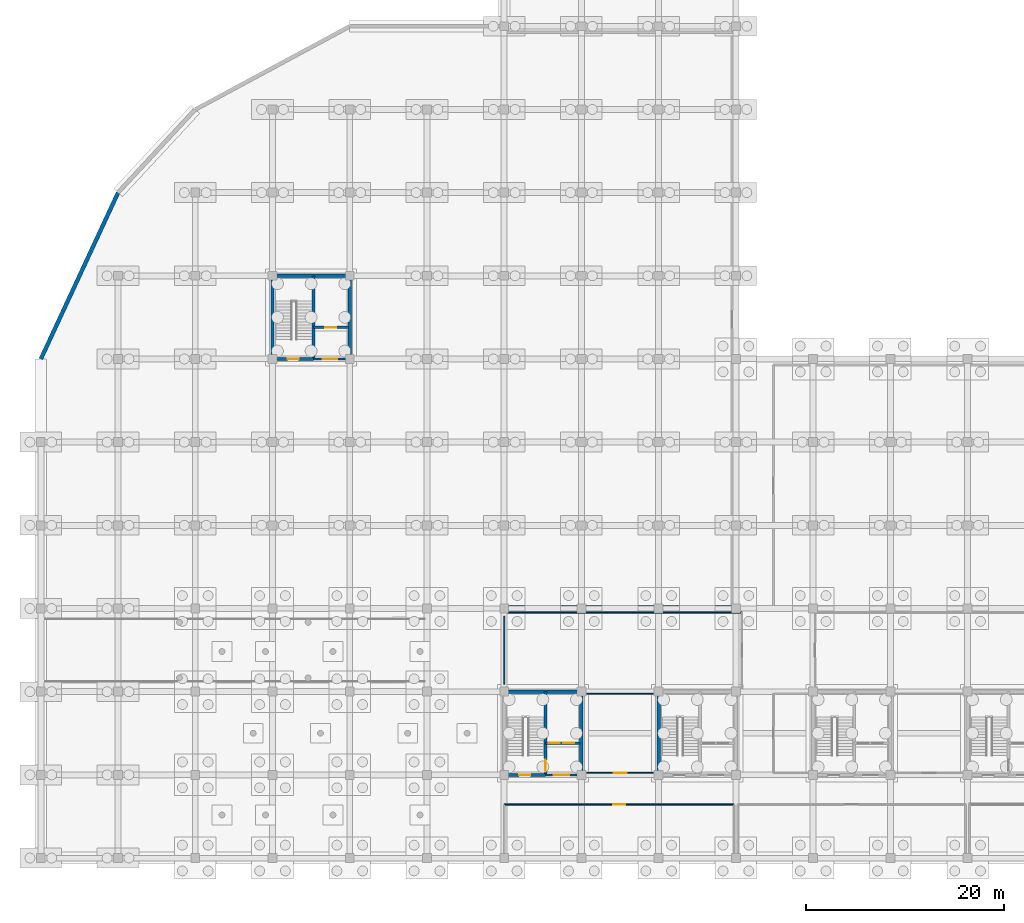
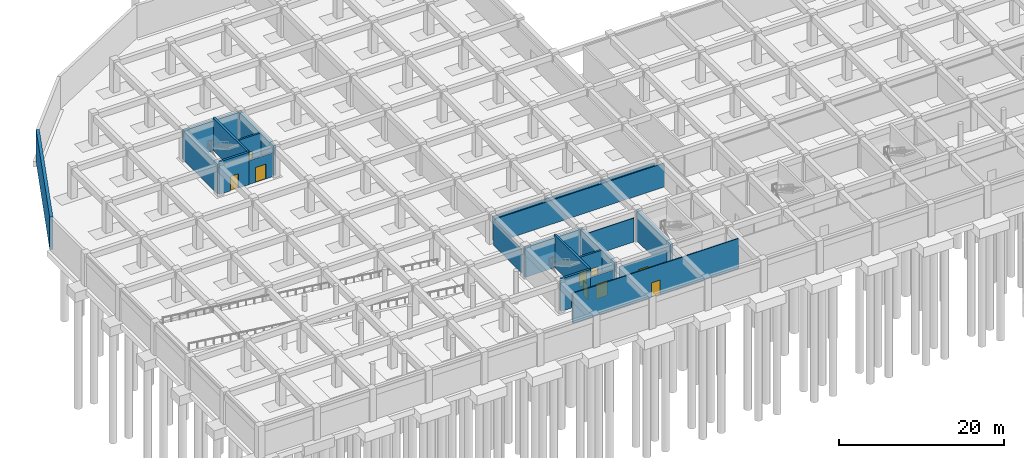
# One storey, part 17 of 31: 21 walls, 10 doors, 10 openings.
"""IFC4 building model written with IfcOpenShell, lengths in metres."""

from ifc_helpers import new_model, si_unit, direction, frame, frame_2d, origin, place, context, subcontext, project, spatial, rectangle, extrude, material, layer, layer_set, type_object, element, fill, save


model = new_model("IFC4")

# Units and contexts
model_context = context("Model", 3, precision=1e-05, world=origin(), true_north=direction((0.0, 1.0)))
body_context = subcontext(model_context, "Body", "Model", "MODEL_VIEW")
ifc_project = project(units=[si_unit("LENGTHUNIT", "METRE"), si_unit("AREAUNIT", "SQUARE_METRE"), si_unit("VOLUMEUNIT", "CUBIC_METRE"), si_unit("PLANEANGLEUNIT", "RADIAN"), si_unit("MASSUNIT", "GRAM", prefix="KILO")], contexts=[model_context])

# Site, building, storey
site_placement = place(None, origin())
site = spatial("IfcSite", under=ifc_project, at=site_placement, CompositionType="ELEMENT")
building_placement = place(site_placement, origin())
building = spatial("IfcBuilding", under=site, at=building_placement, Name="Zizhar Promenade General Hospital", CompositionType="ELEMENT")
storey_placement = place(building_placement, frame((0.0, 0.0, -4.800048828125)))
storey = spatial("IfcBuildingStorey", under=building, at=storey_placement, Name="B1", CompositionType="ELEMENT", Elevation=-4.800048828125)

# Wall, opening, door
ifc_material_1 = material(Name="Chemical-resistant laboratory partition")
ifc_layer_1 = layer(ifc_material_1, 0.135009765625)
ifc_layer_set_1 = layer_set([ifc_layer_1], Name="Chemical-resistant laboratory partition")
wall_type_1 = type_object("IfcWallType", Name="IW-LAB-135", PredefinedType="PARTITIONING", material=ifc_layer_set_1)
wall_1_placement = place(storey_placement, frame((46.800048828125, 5.39990234375, 0.0), z_axis=(0.0, 0.0, 1.0), x_axis=(1.0, 0.0, 0.0)))
wall_1 = element("IfcWall", 1, at=wall_1_placement, inside=storey, type_object=wall_type_1, Name="Central Sterile Supply Decontamination N Partition", PredefinedType="PARTITIONING", context=body_context, shape_type="SweptSolid", body=[
    extrude(rectangle(XDim=23.199951171875, YDim=0.135009765625, at=frame_2d((11.60009765625, 0.0))), origin(), (0.0, 0.0, 1.0), 4.4599609375),
])
opening_1_placement = place(wall_1_placement, frame((11.0, 0.0, 0.0)))
opening_1 = element("IfcOpeningElement", 2, at=opening_1_placement, cuts=wall_1, Name="Opening D-16", PredefinedType="OPENING", context=body_context, shape_type="SweptSolid", body=[
    extrude(rectangle(XDim=1.199951171875, YDim=2.14990234375, at=frame_2d((0.60009765625, 1.074951171875))), frame((0.0, 0.07763671875, 0.0), z_axis=(0.0, -1.0, 0.0), x_axis=(1.0, 0.0, 0.0)), (0.0, 0.0, 1.0), 0.155029296875),
])
ifc_material_2 = material(Name="Fire-rated timber laboratory leaf", Category="wood")
door_type_1 = type_object("IfcDoorType", Name="DR-LAB-120x215", OperationType="NOTDEFINED", PredefinedType="DOOR", material=ifc_material_2)
door_1_placement = place(opening_1_placement, origin())
door_1 = element("IfcDoor", 3, at=door_1_placement, inside=storey, type_object=door_type_1, Name="Central Sterile Supply Decontamination Door", OperationType="SINGLE_SWING_LEFT", OverallHeight=2.14990234375, OverallWidth=1.199951171875, PredefinedType="DOOR", context=body_context, shape_type="SweptSolid", body=[
    extrude(rectangle(XDim=1.199951171875, YDim=2.14990234375, at=frame_2d((0.60009765625, 1.074951171875))), frame((0.0, 0.02490234375, 0.0), z_axis=(0.0, -1.0, 0.0), x_axis=(1.0, 0.0, 0.0)), (0.0, 0.0, 1.0), 0.050048828125),
])
fill(opening_1, door_1)

ifc_material_3 = material(Name="Concrete C35/45", Category="concrete")
ifc_layer_2 = layer(ifc_material_3, 0.215087890625)
ifc_layer_set_2 = layer_set([ifc_layer_2], Name="Concrete C35/45")
wall_type_2 = type_object("IfcWallType", Name="IW-LOBBY-215", PredefinedType="STANDARD", material=ifc_layer_set_2)
wall_2_placement = place(storey_placement, frame((27.550048828125, 50.39990234375, 0.0), z_axis=(0.0, 0.0, 1.0), x_axis=(1.0, 0.0, 0.0)))
wall_2 = element("IfcWall", 4, at=wall_2_placement, inside=storey, type_object=wall_type_2, Name="Core C1 Lift Lobby South Fire Wall (B1)", PredefinedType="STANDARD", context=body_context, shape_type="SweptSolid", body=[
    extrude(rectangle(XDim=3.2900390625, YDim=0.215087890625, at=frame_2d((1.64501953125, 0.0))), origin(), (0.0, 0.0, 1.0), 3.530029296875),
])
opening_2_placement = place(wall_2_placement, frame((0.925048828125, 0.0, 0.0)))
opening_2 = element("IfcOpeningElement", 5, at=opening_2_placement, cuts=wall_2, Name="Opening D-23", PredefinedType="OPENING", context=body_context, shape_type="SweptSolid", body=[
    extrude(rectangle(XDim=1.43994140625, YDim=2.199951171875, at=frame_2d((0.719970703125, 1.10009765625))), frame((0.0, 0.11767578125, 0.0), z_axis=(0.0, -1.0, 0.0), x_axis=(1.0, 0.0, 0.0)), (0.0, 0.0, 1.0), 0.235107421875),
])
ifc_material_4 = material(Name="Fire-rated timber lift lobby pair", Category="wood")
door_type_2 = type_object("IfcDoorType", Name="DR-LOBBY-PR-144x220", OperationType="DOUBLE_DOOR_SINGLE_SWING", PredefinedType="DOOR", material=ifc_material_4)
door_2_placement = place(opening_2_placement, origin())
door_2 = element("IfcDoor", 6, at=door_2_placement, inside=storey, type_object=door_type_2, Name="Core C1 Protected Lift Lobby Door (B1)", OperationType="DOUBLE_DOOR_SINGLE_SWING", OverallHeight=2.199951171875, OverallWidth=1.43994140625, PredefinedType="DOOR", context=body_context, shape_type="SweptSolid", body=[
    extrude(rectangle(XDim=1.43994140625, YDim=2.199951171875, at=frame_2d((0.719970703125, 1.10009765625))), frame((0.0, 0.02490234375, 0.0), z_axis=(0.0, -1.0, 0.0), x_axis=(1.0, 0.0, 0.0)), (0.0, 0.0, 1.0), 0.050048828125),
])
fill(opening_2, door_2)

wall_3_placement = place(storey_placement, frame((50.949951171875, 8.39990234375, 0.0), z_axis=(0.0, 0.0, 1.0), x_axis=(1.0, 0.0, 0.0)))
wall_3 = element("IfcWall", 7, at=wall_3_placement, inside=storey, type_object=wall_type_2, Name="Core C2 Lift Lobby South Fire Wall (B1)", PredefinedType="STANDARD", context=body_context, shape_type="SweptSolid", body=[
    extrude(rectangle(XDim=3.2900390625, YDim=0.215087890625, at=frame_2d((1.64501953125, 0.0))), origin(), (0.0, 0.0, 1.0), 3.530029296875),
])
opening_3_placement = place(wall_3_placement, frame((0.864990234375, 0.0, 0.0)))
opening_3 = element("IfcOpeningElement", 8, at=opening_3_placement, cuts=wall_3, Name="Opening D-22", PredefinedType="OPENING", context=body_context, shape_type="SweptSolid", body=[
    extrude(rectangle(XDim=1.56005859375, YDim=2.199951171875, at=frame_2d((0.780029296875, 1.10009765625))), frame((0.0, 0.11767578125, 0.0), z_axis=(0.0, -1.0, 0.0), x_axis=(1.0, 0.0, 0.0)), (0.0, 0.0, 1.0), 0.235107421875),
])
ifc_material_5 = material(Name="Steel S355 firefighting lobby pair", Category="steel")
door_type_3 = type_object("IfcDoorType", Name="DR-LOBBY-FF-156x220", OperationType="DOUBLE_DOOR_SINGLE_SWING", PredefinedType="DOOR", material=ifc_material_5)
door_3_placement = place(opening_3_placement, origin())
door_3 = element("IfcDoor", 9, at=door_3_placement, inside=storey, type_object=door_type_3, Name="Core C2 Firefighting Lift Lobby Door (B1)", OperationType="DOUBLE_DOOR_SINGLE_SWING", OverallHeight=2.199951171875, OverallWidth=1.56005859375, PredefinedType="DOOR", context=body_context, shape_type="SweptSolid", body=[
    extrude(rectangle(XDim=1.56005859375, YDim=2.199951171875, at=frame_2d((0.780029296875, 1.10009765625))), frame((0.0, 0.02490234375, 0.0), z_axis=(0.0, -1.0, 0.0), x_axis=(1.0, 0.0, 0.0)), (0.0, 0.0, 1.0), 0.050048828125),
])
fill(opening_3, door_3)

# Wall
ifc_material_6 = material(Name="Concrete block masonry C30/37", Category="masonry")
ifc_layer_3 = layer(ifc_material_6, 0.22998046875)
ifc_layer_set_3 = layer_set([ifc_layer_3], Name="Concrete block masonry C30/37")
wall_type_3 = type_object("IfcWallType", Name="IW-PLNT-230", PredefinedType="STANDARD", material=ifc_layer_set_3)
wall_4_placement = place(storey_placement, frame((47.159912109375, 25.39990234375, 0.0), z_axis=(0.0, 0.0, 1.0), x_axis=(1.0, 0.0, 0.0)))
element("IfcWall", 10, at=wall_4_placement, inside=storey, type_object=wall_type_3, Name="Chiller and Heat-Pump Plant Room S Partition", PredefinedType="STANDARD", context=body_context, shape_type="SweptSolid", body=[
    extrude(rectangle(XDim=22.64013671875, YDim=0.22998046875, at=frame_2d((11.320068359375, 0.0))), origin(), (0.0, 0.0, 1.0), 3.530029296875),
])

# Wall, opening, door
ifc_material_7 = material(Name="Concrete C35/45", Category="concrete")
ifc_layer_4 = layer(ifc_material_7, 0.25)
ifc_layer_set_4 = layer_set([ifc_layer_4], Name="Concrete C35/45")
wall_type_4 = type_object("IfcWallType", Name="IW-SHAFT-250", PredefinedType="STANDARD", material=ifc_layer_set_4)
wall_5_placement = place(storey_placement, frame((27.550048828125, 53.60009765625, 0.0), z_axis=(0.0, 0.0, 1.0), x_axis=(1.0, 0.0, 0.0)))
wall_5 = element("IfcWall", 11, at=wall_5_placement, inside=storey, type_object=wall_type_4, Name="Core C1 Lift Shaft Landing Wall (B1)", PredefinedType="STANDARD", context=body_context, shape_type="SweptSolid", body=[
    extrude(rectangle(XDim=3.5, YDim=0.25, at=frame_2d((1.75, 0.0))), origin(), (0.0, 0.0, 1.0), 4.4599609375),
])
opening_4_placement = place(wall_5_placement, frame((1.199951171875, 0.0, 0.0)))
opening_4 = element("IfcOpeningElement", 12, at=opening_4_placement, cuts=wall_5, Name="Opening LD-11", PredefinedType="OPENING", context=body_context, shape_type="SweptSolid", body=[
    extrude(rectangle(XDim=1.10009765625, YDim=2.199951171875, at=frame_2d((0.550048828125, 1.10009765625))), frame((0.0, 0.135009765625, 0.0), z_axis=(0.0, -1.0, 0.0), x_axis=(1.0, 0.0, 0.0)), (0.0, 0.0, 1.0), 0.27001953125),
])
ifc_material_8 = material(Name="Stainless Steel S355 passenger lift landing door", Category="steel")
door_type_4 = type_object("IfcDoorType", Name="DR-LIFT-LD11", OperationType="SLIDING_TO_LEFT", PredefinedType="DOOR", material=ifc_material_8)
door_4_placement = place(opening_4_placement, origin())
door_4 = element("IfcDoor", 13, at=door_4_placement, inside=storey, type_object=door_type_4, Name="Lift LP-01 Sliding Landing Door (B1)", OperationType="SLIDING_TO_LEFT", OverallHeight=2.199951171875, OverallWidth=1.10009765625, PredefinedType="DOOR", context=body_context, shape_type="SweptSolid", body=[
    extrude(rectangle(XDim=1.10009765625, YDim=2.199951171875, at=frame_2d((0.550048828125, 1.10009765625))), frame((0.0, 0.02490234375, 0.0), z_axis=(0.0, -1.0, 0.0), x_axis=(1.0, 0.0, 0.0)), (0.0, 0.0, 1.0), 0.050048828125),
])
fill(opening_4, door_4)

# Wall, openings, doors
wall_6_placement = place(storey_placement, frame((50.949951171875, 11.60009765625, 0.0), z_axis=(0.0, 0.0, 1.0), x_axis=(1.0, 0.0, 0.0)))
wall_6 = element("IfcWall", 14, at=wall_6_placement, inside=storey, type_object=wall_type_4, Name="Core C2 Lift Shaft Landing Wall (B1)", PredefinedType="STANDARD", context=body_context, shape_type="SweptSolid", body=[
    extrude(rectangle(XDim=3.5, YDim=0.25, at=frame_2d((1.75, 0.0))), origin(), (0.0, 0.0, 1.0), 4.4599609375),
])
opening_5_placement = place(wall_6_placement, frame((0.35009765625, 0.0, 0.0)))
opening_5 = element("IfcOpeningElement", 15, at=opening_5_placement, cuts=wall_6, Name="Opening LD-11", PredefinedType="OPENING", context=body_context, shape_type="SweptSolid", body=[
    extrude(rectangle(XDim=1.10009765625, YDim=2.199951171875, at=frame_2d((0.550048828125, 1.10009765625))), frame((0.0, 0.135009765625, 0.0), z_axis=(0.0, -1.0, 0.0), x_axis=(1.0, 0.0, 0.0)), (0.0, 0.0, 1.0), 0.27001953125),
])
opening_6_placement = place(wall_6_placement, frame((1.800048828125, 0.0, 0.0)))
opening_6 = element("IfcOpeningElement", 16, at=opening_6_placement, cuts=wall_6, Name="Opening LD-11", PredefinedType="OPENING", context=body_context, shape_type="SweptSolid", body=[
    extrude(rectangle(XDim=1.10009765625, YDim=2.199951171875, at=frame_2d((0.550048828125, 1.10009765625))), frame((0.0, 0.135009765625, 0.0), z_axis=(0.0, -1.0, 0.0), x_axis=(1.0, 0.0, 0.0)), (0.0, 0.0, 1.0), 0.27001953125),
])
door_5_placement = place(opening_5_placement, origin())
door_5 = element("IfcDoor", 17, at=door_5_placement, inside=storey, type_object=door_type_4, Name="Lift LF-01 Sliding Landing Door (B1)", OperationType="SLIDING_TO_LEFT", OverallHeight=2.199951171875, OverallWidth=1.10009765625, PredefinedType="DOOR", context=body_context, shape_type="SweptSolid", body=[
    extrude(rectangle(XDim=1.10009765625, YDim=2.199951171875, at=frame_2d((0.550048828125, 1.10009765625))), frame((0.0, 0.02490234375, 0.0), z_axis=(0.0, -1.0, 0.0), x_axis=(1.0, 0.0, 0.0)), (0.0, 0.0, 1.0), 0.050048828125),
])
fill(opening_5, door_5)
door_6_placement = place(opening_6_placement, origin())
door_6 = element("IfcDoor", 18, at=door_6_placement, inside=storey, type_object=door_type_4, Name="Lift LB-01 Sliding Landing Door (B1)", OperationType="SLIDING_TO_LEFT", OverallHeight=2.199951171875, OverallWidth=1.10009765625, PredefinedType="DOOR", context=body_context, shape_type="SweptSolid", body=[
    extrude(rectangle(XDim=1.10009765625, YDim=2.199951171875, at=frame_2d((0.550048828125, 1.10009765625))), frame((0.0, 0.02490234375, 0.0), z_axis=(0.0, -1.0, 0.0), x_axis=(1.0, 0.0, 0.0)), (0.0, 0.0, 1.0), 0.050048828125),
])
fill(opening_6, door_6)

# Walls
ifc_material_9 = material(Name="Clean utility gypsum partition")
ifc_layer_5 = layer(ifc_material_9, 0.114990234375)
ifc_layer_set_5 = layer_set([ifc_layer_5], Name="Clean utility gypsum partition")
wall_type_5 = type_object("IfcWallType", Name="IW-STR-115", PredefinedType="PARTITIONING", material=ifc_layer_set_5)
wall_7_placement = place(storey_placement, frame((47.159912109375, 24.800048828125, 0.0), z_axis=(0.0, 0.0, 1.0), x_axis=(1.0, 0.0, 0.0)))
element("IfcWall", 19, at=wall_7_placement, inside=storey, type_object=wall_type_5, Name="Clean Medical Linen Store N Partition", PredefinedType="PARTITIONING", context=body_context, shape_type="SweptSolid", body=[
    extrude(rectangle(XDim=23.64013671875, YDim=0.114990234375, at=frame_2d((11.820068359375, 0.0))), origin(), (0.0, 0.0, 1.0), 3.530029296875),
])
wall_8_placement = place(storey_placement, frame((46.800048828125, 17.56005859375, 0.0), z_axis=(0.0, 0.0, 1.0), x_axis=(0.0, 1.0, 0.0)))
element("IfcWall", 20, at=wall_8_placement, inside=storey, type_object=wall_type_5, Name="Clean Medical Linen Store W Partition", PredefinedType="PARTITIONING", context=body_context, shape_type="SweptSolid", body=[
    extrude(rectangle(XDim=6.8798828125, YDim=0.114990234375, at=frame_2d((3.43994140625, 0.0))), origin(), (0.0, 0.0, 1.0), 3.51513671875),
])

# Wall, opening, door
wall_9_placement = place(storey_placement, frame((55.159912109375, 8.60009765625, 0.0), z_axis=(0.0, 0.0, 1.0), x_axis=(1.0, 0.0, 0.0)))
wall_9 = element("IfcWall", 21, at=wall_9_placement, inside=storey, type_object=wall_type_5, Name="Staff Changing Room West S Partition", PredefinedType="PARTITIONING", context=body_context, shape_type="SweptSolid", body=[
    extrude(rectangle(XDim=6.68017578125, YDim=0.114990234375, at=frame_2d((3.340087890625, 0.0))), origin(), (0.0, 0.0, 1.0), 3.530029296875),
])
opening_7_placement = place(wall_9_placement, frame((2.679931640625, 0.0, 0.0)))
opening_7 = element("IfcOpeningElement", 22, at=opening_7_placement, cuts=wall_9, Name="Opening D-26", PredefinedType="OPENING", context=body_context, shape_type="SweptSolid", body=[
    extrude(rectangle(XDim=1.320068359375, YDim=2.14990234375, at=frame_2d((0.66015625, 1.074951171875))), frame((0.0, 0.0673828125, 0.0), z_axis=(0.0, -1.0, 0.0), x_axis=(1.0, 0.0, 0.0)), (0.0, 0.0, 1.0), 0.135009765625),
])
ifc_material_10 = material(Name="Fire-rated timber store leaf", Category="wood")
door_type_5 = type_object("IfcDoorType", Name="DR-STORE-132x215", OperationType="NOTDEFINED", PredefinedType="DOOR", material=ifc_material_10)
door_7_placement = place(opening_7_placement, origin())
door_7 = element("IfcDoor", 23, at=door_7_placement, inside=storey, type_object=door_type_5, Name="Staff Changing Room West Door", OperationType="SINGLE_SWING_RIGHT", OverallHeight=2.14990234375, OverallWidth=1.320068359375, PredefinedType="DOOR", context=body_context, shape_type="SweptSolid", body=[
    extrude(rectangle(XDim=1.320068359375, YDim=2.14990234375, at=frame_2d((0.66015625, 1.074951171875))), frame((0.0, 0.02490234375, 0.0), z_axis=(0.0, -1.0, 0.0), x_axis=(1.0, 0.0, 0.0)), (0.0, 0.0, 1.0), 0.050048828125),
])
fill(opening_7, door_7)

# Walls
wall_10_placement = place(storey_placement, frame((55.159912109375, 16.60009765625, 0.0), z_axis=(0.0, 0.0, 1.0), x_axis=(1.0, 0.0, 0.0)))
element("IfcWall", 24, at=wall_10_placement, inside=storey, type_object=wall_type_5, Name="Staff Changing Room West N Partition", PredefinedType="PARTITIONING", context=body_context, shape_type="SweptSolid", body=[
    extrude(rectangle(XDim=6.68017578125, YDim=0.114990234375, at=frame_2d((3.340087890625, 0.0))), origin(), (0.0, 0.0, 1.0), 3.530029296875),
])
ifc_material_11 = material(Name="Concrete C35/45", Category="concrete")
ifc_layer_6 = layer(ifc_material_11, 0.39990234375)
ifc_layer_set_6 = layer_set([ifc_layer_6], Name="Concrete C35/45")
wall_type_6 = type_object("IfcWallType", Name="WL-BSMT-400", PredefinedType="SOLIDWALL", material=ifc_layer_set_6)
wall_11_placement = place(storey_placement, frame((7.800048828125, 67.199951171875, 0.0), z_axis=(0.0, 0.0, 1.0), x_axis=(-0.421112468243, -0.907008428346, 0.0)))
element("IfcWall", 25, at=wall_11_placement, inside=storey, type_object=wall_type_6, Name="Basement Retaining Wall B12", PredefinedType="SOLIDWALL", context=body_context, shape_type="SweptSolid", body=[
    extrude(rectangle(XDim=18.5224609375, YDim=0.39990234375, at=frame_2d((9.26123046875, 0.0))), origin(), (0.0, 0.0, 1.0), 4.800048828125),
])

# Wall, opening, door
ifc_material_12 = material(Name="Concrete C40/50", Category="concrete")
ifc_layer_7 = layer(ifc_material_12, 0.300048828125)
ifc_layer_set_7 = layer_set([ifc_layer_7], Name="Concrete C40/50")
wall_type_7 = type_object("IfcWallType", Name="WL-CORE-300", PredefinedType="SHEAR", material=ifc_layer_set_7)
wall_12_placement = place(storey_placement, frame((23.39990234375, 50.39990234375, 0.0), z_axis=(0.0, 0.0, 1.0), x_axis=(1.0, 0.0, 0.0)))
wall_12 = element("IfcWall", 26, at=wall_12_placement, inside=storey, type_object=wall_type_7, Name="Core C1 Stair South Fire Wall (B1)", PredefinedType="SHEAR", context=body_context, shape_type="SweptSolid", body=[
    extrude(rectangle(XDim=4.150146484375, YDim=0.300048828125, at=frame_2d((2.0751953125, 0.0))), origin(), (0.0, 0.0, 1.0), 4.800048828125),
])
opening_8_placement = place(wall_12_placement, frame((1.514892578125, 0.0, 0.0)))
opening_8 = element("IfcOpeningElement", 27, at=opening_8_placement, cuts=wall_12, Name="Opening D-21", PredefinedType="OPENING", context=body_context, shape_type="SweptSolid", body=[
    extrude(rectangle(XDim=1.1201171875, YDim=2.14990234375, at=frame_2d((0.56005859375, 1.074951171875))), frame((0.0, 0.16015625, 0.0), z_axis=(0.0, -1.0, 0.0), x_axis=(1.0, 0.0, 0.0)), (0.0, 0.0, 1.0), 0.320068359375),
])
ifc_material_13 = material(Name="Steel S355 protected stair door", Category="steel")
door_type_6 = type_object("IfcDoorType", Name="DR-STAIR-112x215", OperationType="NOTDEFINED", PredefinedType="DOOR", material=ifc_material_13)
door_8_placement = place(opening_8_placement, origin())
door_8 = element("IfcDoor", 28, at=door_8_placement, inside=storey, type_object=door_type_6, Name="Exit Stair ST-01 Door (B1)", OperationType="SINGLE_SWING_LEFT", OverallHeight=2.14990234375, OverallWidth=1.1201171875, PredefinedType="DOOR", context=body_context, shape_type="SweptSolid", body=[
    extrude(rectangle(XDim=1.1201171875, YDim=2.14990234375, at=frame_2d((0.56005859375, 1.074951171875))), frame((0.0, 0.02490234375, 0.0), z_axis=(0.0, -1.0, 0.0), x_axis=(1.0, 0.0, 0.0)), (0.0, 0.0, 1.0), 0.050048828125),
])
fill(opening_8, door_8)

# Wall
wall_13_placement = place(storey_placement, frame((27.550048828125, 50.39990234375, 0.0), z_axis=(0.0, 0.0, 1.0), x_axis=(0.0, 1.0, 0.0)))
element("IfcWall", 29, at=wall_13_placement, inside=storey, type_object=wall_type_7, Name="Core C1 Stair-Shaft Separation Wall (B1)", PredefinedType="SHEAR", context=body_context, shape_type="SweptSolid", body=[
    extrude(rectangle(XDim=8.400146484375, YDim=0.300048828125, at=frame_2d((4.2001953125, 0.0))), origin(), (0.0, 0.0, 1.0), 4.800048828125),
])

# Wall, opening, door
wall_14_placement = place(storey_placement, frame((46.800048828125, 8.39990234375, 0.0), z_axis=(0.0, 0.0, 1.0), x_axis=(1.0, 0.0, 0.0)))
wall_14 = element("IfcWall", 30, at=wall_14_placement, inside=storey, type_object=wall_type_7, Name="Core C2 Stair South Fire Wall (B1)", PredefinedType="SHEAR", context=body_context, shape_type="SweptSolid", body=[
    extrude(rectangle(XDim=4.14990234375, YDim=0.300048828125, at=frame_2d((2.074951171875, 0.0))), origin(), (0.0, 0.0, 1.0), 4.800048828125),
])
opening_9_placement = place(wall_14_placement, frame((1.514892578125, 0.0, 0.0)))
opening_9 = element("IfcOpeningElement", 31, at=opening_9_placement, cuts=wall_14, Name="Opening D-21", PredefinedType="OPENING", context=body_context, shape_type="SweptSolid", body=[
    extrude(rectangle(XDim=1.1201171875, YDim=2.14990234375, at=frame_2d((0.56005859375, 1.074951171875))), frame((0.0, 0.16015625, 0.0), z_axis=(0.0, -1.0, 0.0), x_axis=(1.0, 0.0, 0.0)), (0.0, 0.0, 1.0), 0.320068359375),
])
door_9_placement = place(opening_9_placement, origin())
door_9 = element("IfcDoor", 32, at=door_9_placement, inside=storey, type_object=door_type_6, Name="Exit Stair ST-02 Door (B1)", OperationType="SINGLE_SWING_RIGHT", OverallHeight=2.14990234375, OverallWidth=1.1201171875, PredefinedType="DOOR", context=body_context, shape_type="SweptSolid", body=[
    extrude(rectangle(XDim=1.1201171875, YDim=2.14990234375, at=frame_2d((0.56005859375, 1.074951171875))), frame((0.0, 0.02490234375, 0.0), z_axis=(0.0, -1.0, 0.0), x_axis=(1.0, 0.0, 0.0)), (0.0, 0.0, 1.0), 0.050048828125),
])
fill(opening_9, door_9)

wall_15_placement = place(storey_placement, frame((50.949951171875, 8.39990234375, 0.0), z_axis=(0.0, 0.0, 1.0), x_axis=(0.0, 1.0, 0.0)))
wall_15 = element("IfcWall", 33, at=wall_15_placement, inside=storey, type_object=wall_type_7, Name="Core C2 Stair-Shaft Separation Wall (B1)", PredefinedType="SHEAR", context=body_context, shape_type="SweptSolid", body=[
    extrude(rectangle(XDim=8.400146484375, YDim=0.300048828125, at=frame_2d((4.2001953125, 0.0))), origin(), (0.0, 0.0, 1.0), 4.800048828125),
])
opening_10_placement = place(wall_15_placement, frame((0.39990234375, 0.0, 0.0)))
opening_10 = element("IfcOpeningElement", 34, at=opening_10_placement, cuts=wall_15, Name="Opening D-21", PredefinedType="OPENING", context=body_context, shape_type="SweptSolid", body=[
    extrude(rectangle(XDim=1.1201171875, YDim=2.14990234375, at=frame_2d((0.56005859375, 1.074951171875))), frame((0.0, 0.16015625, 0.0), z_axis=(0.0, -1.0, 0.0), x_axis=(1.0, 0.0, 0.0)), (0.0, 0.0, 1.0), 0.320068359375),
])
door_10_placement = place(opening_10_placement, origin())
door_10 = element("IfcDoor", 35, at=door_10_placement, inside=storey, type_object=door_type_6, Name="Firefighting Lobby to Stair ST-02 Door (B1)", OperationType="SINGLE_SWING_LEFT", OverallHeight=2.14990234375, OverallWidth=1.1201171875, PredefinedType="DOOR", context=body_context, shape_type="SweptSolid", body=[
    extrude(rectangle(XDim=1.1201171875, YDim=2.14990234375, at=frame_2d((0.56005859375, 1.074951171875))), frame((0.0, 0.02490234375, 0.0), z_axis=(0.0, -1.0, 0.0), x_axis=(1.0, 0.0, 0.0)), (0.0, 0.0, 1.0), 0.050048828125),
])
fill(opening_10, door_10)

# Walls
ifc_material_14 = material(Name="Concrete C40/50", Category="concrete")
ifc_layer_8 = layer(ifc_material_14, 0.35009765625)
ifc_layer_set_8 = layer_set([ifc_layer_8], Name="Concrete C40/50")
wall_type_8 = type_object("IfcWallType", Name="WL-CORE-350", PredefinedType="SHEAR", material=ifc_layer_set_8)
wall_16_placement = place(storey_placement, frame((23.22509765625, 58.800048828125, 0.0), z_axis=(0.0, 0.0, 1.0), x_axis=(1.0, 0.0, 0.0)))
element("IfcWall", 36, at=wall_16_placement, inside=storey, type_object=wall_type_8, Name="Core C1 North Shear Wall B1", PredefinedType="SHEAR", context=body_context, shape_type="SweptSolid", body=[
    extrude(rectangle(XDim=8.14990234375, YDim=0.35009765625, at=frame_2d((4.074951171875, 0.0))), origin(), (0.0, 0.0, 1.0), 4.400146484375),
])
for number, where, z_axis, x_axis, name in (
    (37, (23.39990234375, 50.39990234375, 0.0), (0.0, 0.0, 1.0), (0.0, 1.0, 0.0), "Core C1 West Shear Wall B1"),
    (38, (31.199951171875, 50.39990234375, 0.0), (0.0, 0.0, 1.0), (0.0, 1.0, 0.0), "Core C1 East Shear Wall B1"),
):
    element("IfcWall", number, at=place(storey_placement, frame(where, z_axis=z_axis, x_axis=x_axis)), inside=storey, type_object=wall_type_8, Name=name, PredefinedType="SHEAR", context=body_context, shape_type="SweptSolid", body=[
        extrude(rectangle(XDim=8.400146484375, YDim=0.35009765625, at=frame_2d((4.2001953125, 0.0))), origin(), (0.0, 0.0, 1.0), 4.400146484375),
    ])
wall_17_placement = place(storey_placement, frame((46.625, 16.800048828125, 0.0), z_axis=(0.0, 0.0, 1.0), x_axis=(1.0, 0.0, 0.0)))
element("IfcWall", 39, at=wall_17_placement, inside=storey, type_object=wall_type_8, Name="Core C2 North Shear Wall B1", PredefinedType="SHEAR", context=body_context, shape_type="SweptSolid", body=[
    extrude(rectangle(XDim=8.14990234375, YDim=0.35009765625, at=frame_2d((4.074951171875, 0.0))), origin(), (0.0, 0.0, 1.0), 4.400146484375),
])
for number, where, z_axis, x_axis, name in (
    (40, (54.60009765625, 8.39990234375, 0.0), (0.0, 0.0, 1.0), (0.0, 1.0, 0.0), "Core C2 East Shear Wall B1"),
    (41, (62.39990234375, 8.39990234375, 0.0), (0.0, 0.0, 1.0), (0.0, 1.0, 0.0), "Core C3 West Shear Wall B1"),
):
    element("IfcWall", number, at=place(storey_placement, frame(where, z_axis=z_axis, x_axis=x_axis)), inside=storey, type_object=wall_type_8, Name=name, PredefinedType="SHEAR", context=body_context, shape_type="SweptSolid", body=[
        extrude(rectangle(XDim=8.400146484375, YDim=0.35009765625, at=frame_2d((4.2001953125, 0.0))), origin(), (0.0, 0.0, 1.0), 4.400146484375),
    ])

save(model, "model.ifc")
